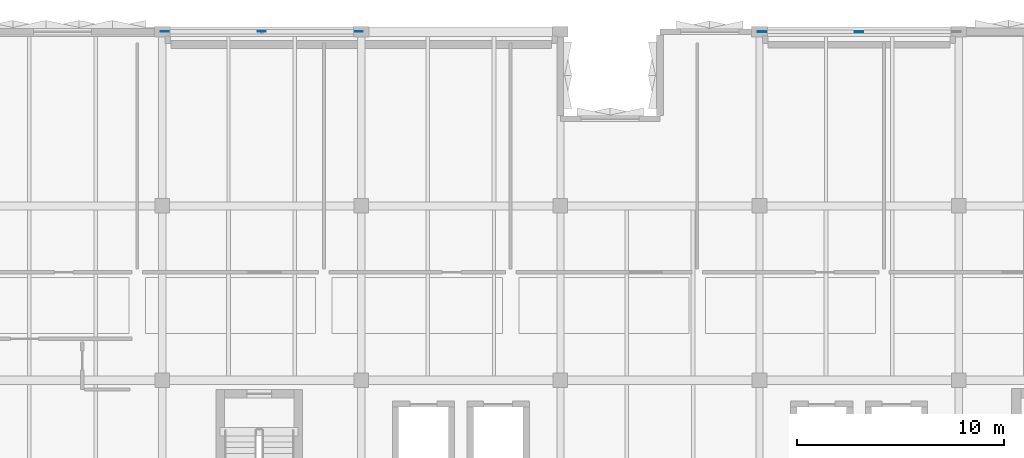
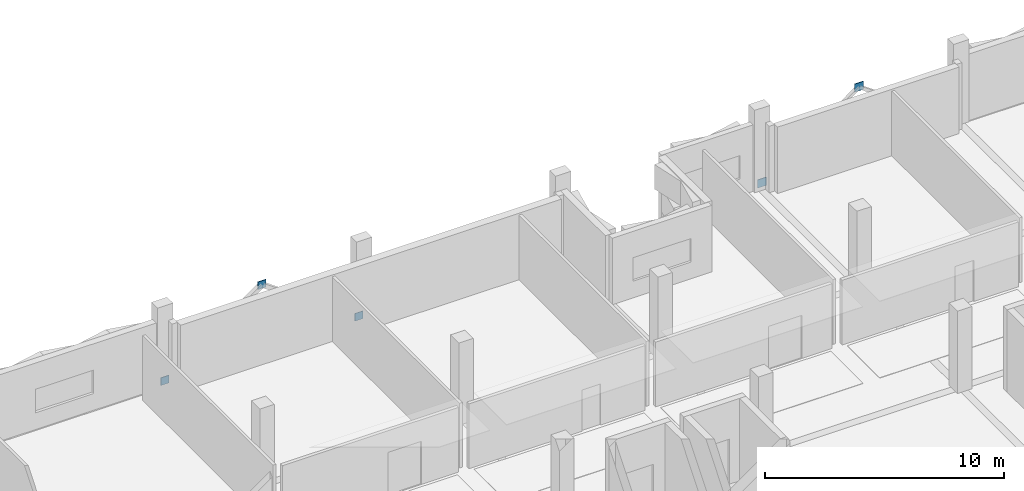
# One storey, part 35 of 57: 5 plates.
"""IFC4 building model written with IfcOpenShell, lengths in metres."""

from ifc_helpers import new_model, si_unit, direction, frame, origin, origin_2d, place, context, subcontext, project, spatial, rectangle, extrude, material, layer, layer_set, type_object, element, save


model = new_model("IFC4")

# Units and contexts
model_context = context("Model", 3, precision=1e-05, world=origin(), true_north=direction((0.0, 1.0)))
body_context = subcontext(model_context, "Body", "Model", "MODEL_VIEW")
ifc_project = project(units=[si_unit("LENGTHUNIT", "METRE"), si_unit("AREAUNIT", "SQUARE_METRE"), si_unit("VOLUMEUNIT", "CUBIC_METRE"), si_unit("PLANEANGLEUNIT", "RADIAN"), si_unit("MASSUNIT", "GRAM", prefix="KILO")], contexts=[model_context])

# Site, building, storey
site_placement = place(None, origin())
site = spatial("IfcSite", under=ifc_project, at=site_placement, CompositionType="ELEMENT")
building_placement = place(site_placement, origin())
building = spatial("IfcBuilding", under=site, at=building_placement, Name="Oolite Switchyard Hospital", CompositionType="ELEMENT")
storey_placement = place(building_placement, frame((0.0, 0.0, 17.800048828125)))
storey = spatial("IfcBuildingStorey", under=building, at=storey_placement, Name="L04", CompositionType="ELEMENT", Elevation=17.800048828125)

# Plates
ifc_material = material(Name="Steel ASTM A572 Grade 50", Category="steel")
ifc_layer_1 = layer(ifc_material, 0.02587890625)
ifc_layer_set_1 = layer_set([ifc_layer_1], Name="PLT-GUS-390")
plate_type_1 = type_object("IfcPlateType", Name="PLT-GUS-390", PredefinedType="SHEET", material=ifc_layer_set_1)
for number, where, z_axis, x_axis, name in (
    (1, (153.719970703125, 134.39990234375, 0.0048828125), (0.0, 0.0, 1.0), (1.0, 0.0, 0.0), "L04 Brace Base Gusset Plate 55"),
    (2, (163.080078125, 134.39990234375, 0.0048828125), (0.0, 0.0, 1.0), (1.0, 0.0, 0.0), "L04 Brace Base Gusset Plate 56"),
    (3, (158.39990234375, 134.39990234375, 3.2548828125), (0.0, 0.0, 1.0), (1.0, 0.0, 0.0), "L04 Gusset Connection Plate 57"),
):
    element("IfcPlate", number, at=place(storey_placement, frame(where, z_axis=z_axis, x_axis=x_axis)), inside=storey, type_object=plate_type_1, Name=name, PredefinedType="SHEET", context=body_context, shape_type="SweptSolid", body=[
        extrude(rectangle(XDim=0.389892578125, YDim=0.02587890625, at=origin_2d()), origin(), (0.0, 0.0, 1.0), 0.389892578125),
    ])
ifc_layer_2 = layer(ifc_material, 0.028076171875)
ifc_layer_set_2 = layer_set([ifc_layer_2], Name="PLT-GUS-420")
plate_type_2 = type_object("IfcPlateType", Name="PLT-GUS-420", PredefinedType="SHEET", material=ifc_layer_set_2)
for number, where, z_axis, x_axis, name in (
    (4, (182.52001953125, 134.39990234375, -0.010009765625), (0.0, 0.0, 1.0), (1.0, 0.0, 0.0), "L04 Brace Base Gusset Plate 79"),
    (5, (187.199951171875, 134.39990234375, 3.239990234375), (0.0, 0.0, 1.0), (1.0, 0.0, 0.0), "L04 Gusset Connection Plate 81"),
):
    element("IfcPlate", number, at=place(storey_placement, frame(where, z_axis=z_axis, x_axis=x_axis)), inside=storey, type_object=plate_type_2, Name=name, PredefinedType="SHEET", context=body_context, shape_type="SweptSolid", body=[
        extrude(rectangle(XDim=0.419921875, YDim=0.028076171875, at=origin_2d()), origin(), (0.0, 0.0, 1.0), 0.419921875),
    ])

save(model, "model.ifc")
